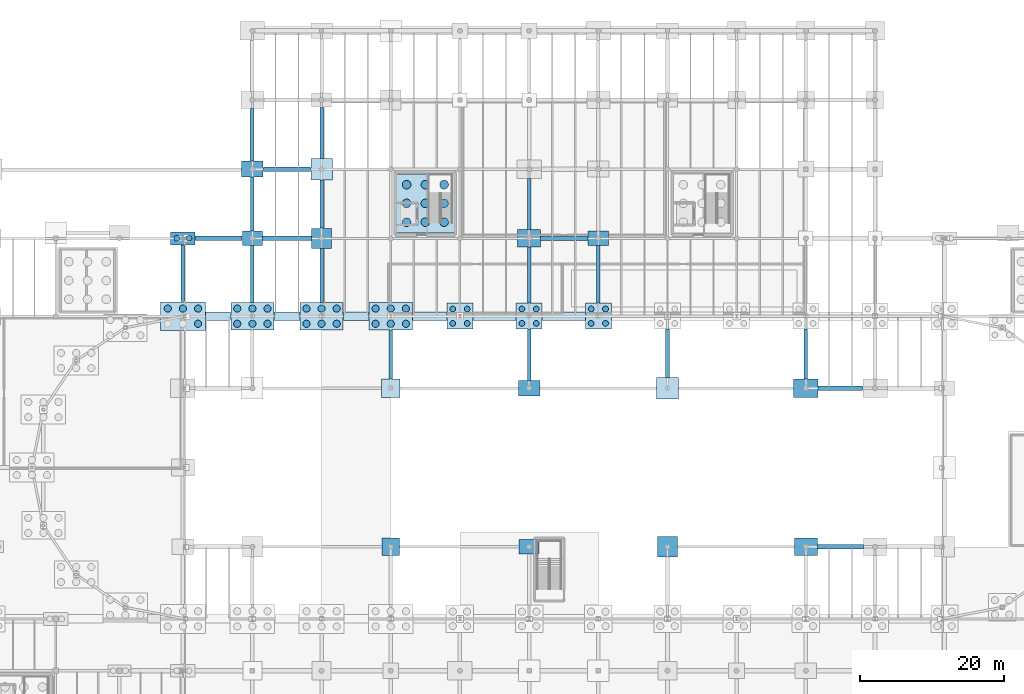
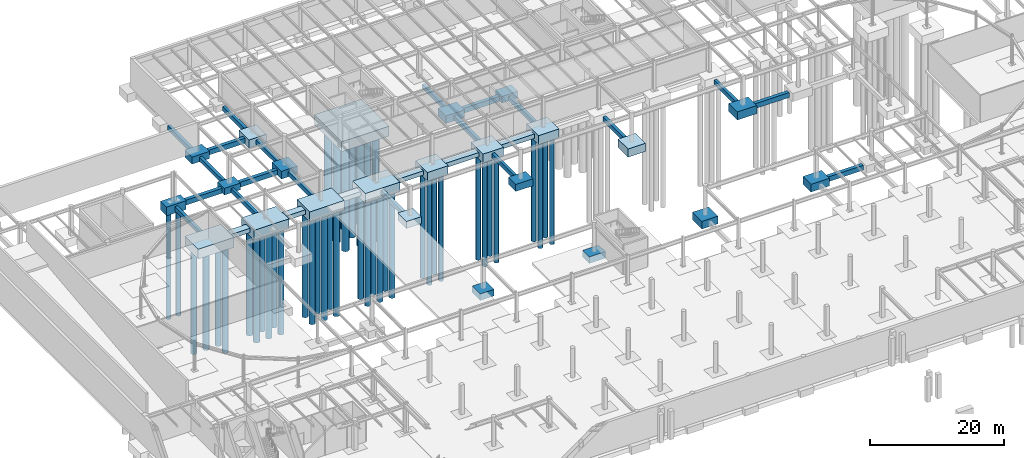
# One storey, part 6 of 50: 49 footings, 45 piles.
"""IFC4 building model written with IfcOpenShell, lengths in metres."""

import ifcopenshell
import ifcopenshell.guid

model = None  # the IFC model being written
_history = None  # IfcOwnerHistory: only IFC2X3 demands one
_inside = {}  # id of a spatial element -> (the spatial element, [elements in it])
_under = {}  # id of a project, library or spatial element -> (it, [spatial elements below it])
_declared = {}  # id of a project -> (the project, [libraries it declares])
_typed = {}  # id of a type object -> (the type object, [elements of that type])
_made_of = {}  # id of a material, layer set ... -> (it, [elements and type objects made of it])


def new_model(schema):
    """Start an empty IFC model of exactly this schema.

    Asked for "IFC4X3", IfcOpenShell would pick the latest addendum, in which some entities
    have other attributes; the version numbers below select the first issue.
    IFC2X3 requires an IfcOwnerHistory on every rooted entity: one is made here for all.
    """
    global model, _history
    if schema == "IFC4X3":
        model = ifcopenshell.file(schema_version=(4, 3, 0, 0))
    else:
        model = ifcopenshell.file(schema=schema)
    _inside.clear()
    _under.clear()
    _declared.clear()
    _typed.clear()
    _made_of.clear()
    _history = None
    if model.schema == "IFC2X3":
        org = make("IfcOrganization", Name="unknown")
        user = make(
            "IfcPersonAndOrganization",
            ThePerson=make("IfcPerson", FamilyName="unknown"),
            TheOrganization=org,
        )
        app = make(
            "IfcApplication",
            ApplicationDeveloper=org,
            Version="unknown",
            ApplicationFullName="unknown",
            ApplicationIdentifier="unknown",
        )
        _history = make(
            "IfcOwnerHistory",
            OwningUser=user,
            OwningApplication=app,
            ChangeAction="ADDED",
            CreationDate=0,
        )
    return model


def make(cls, **values):
    """One entity of the class cls with the attributes given. An attribute that is None is left unset."""
    return model.create_entity(
        cls, **{name: value for name, value in values.items() if value is not None}
    )


def rooted(cls, **values):
    """An entity with a GlobalId (a new one), such as an element, a storey or a relation."""
    return make(cls, GlobalId=ifcopenshell.guid.new(), OwnerHistory=_history, **values)


def si_unit(unit_type, name, prefix=None):
    """IfcSIUnit, for example si_unit("LENGTHUNIT", "METRE", prefix="MILLI")."""
    return make("IfcSIUnit", UnitType=unit_type, Prefix=prefix, Name=name)


def assignment(units):
    """IfcUnitAssignment: the units of a project."""
    return None if units is None else make("IfcUnitAssignment", Units=units)


def point(xyz):
    """IfcCartesianPoint."""
    return None if xyz is None else make("IfcCartesianPoint", Coordinates=xyz)


def direction(xyz):
    """IfcDirection."""
    return None if xyz is None else make("IfcDirection", DirectionRatios=xyz)


def frame(location, z_axis=None, x_axis=None):
    """IfcAxis2Placement3D, a coordinate frame: its origin and axes. An axis left out is left unset."""
    return make(
        "IfcAxis2Placement3D",
        Location=point(location),
        Axis=direction(z_axis),
        RefDirection=direction(x_axis),
    )


def frame_2d(location, x_axis=None):
    """IfcAxis2Placement2D, a coordinate frame in the plane: its origin and x axis."""
    return make(
        "IfcAxis2Placement2D", Location=point(location), RefDirection=direction(x_axis)
    )


def origin():
    """The frame at (0, 0, 0) with its axes left unset."""
    return frame((0.0, 0.0, 0.0))


def origin_2d():
    """The frame at (0, 0) in the plane with its x axis left unset."""
    return frame_2d((0.0, 0.0))


def place(relative_to, where):
    """IfcLocalPlacement: puts the frame where relative to a parent placement (None: the world)."""
    return make(
        "IfcLocalPlacement", PlacementRelTo=relative_to, RelativePlacement=where
    )


def context(
    kind, dimensions, precision=None, world=None, true_north=None, identifier=None
):
    """IfcGeometricRepresentationContext, for example the 3D "Model" context."""
    return make(
        "IfcGeometricRepresentationContext",
        ContextIdentifier=identifier,
        ContextType=kind,
        CoordinateSpaceDimension=dimensions,
        Precision=precision,
        WorldCoordinateSystem=world,
        TrueNorth=true_north,
    )


def subcontext(parent, identifier, kind, view, scale=None):
    """IfcGeometricRepresentationSubContext, for example "Body" below "Model"."""
    return make(
        "IfcGeometricRepresentationSubContext",
        ContextIdentifier=identifier,
        ContextType=kind,
        ParentContext=parent,
        TargetScale=scale,
        TargetView=view,
    )


def project(units=None, contexts=None):
    """IfcProject with its units and contexts."""
    return rooted(
        "IfcProject",
        Name="project",
        RepresentationContexts=contexts,
        UnitsInContext=assignment(units),
    )


def spatial(cls, under=None, at=None, **own):
    """A site, building, storey or space (cls), placed at a placement, below another one or the project."""
    s = rooted(cls, ObjectPlacement=at, **own)
    if under is not None:
        _under.setdefault(under.id(), (under, []))[1].append(s)
    return s


def polyline(points):
    """IfcPolyline through the points."""
    return make("IfcPolyline", Points=[point(p) for p in points])


def profile(cls, at=None, kind="AREA", **sizes):
    """A parametric profile (cls). Its sizes go by their IFC names, for example OverallWidth=200.0."""
    return make(cls, ProfileType=kind, Position=at, **sizes)


def rectangle(**sizes):
    """IfcRectangleProfileDef."""
    return profile("IfcRectangleProfileDef", **sizes)


def circle(**sizes):
    """IfcCircleProfileDef."""
    return profile("IfcCircleProfileDef", **sizes)


def outline(outer, holes=None, kind="AREA"):
    """IfcArbitraryClosedProfileDef: a profile drawn as a closed curve; with holes, ...WithVoids."""
    if holes is None:
        return make("IfcArbitraryClosedProfileDef", ProfileType=kind, OuterCurve=outer)
    return make(
        "IfcArbitraryProfileDefWithVoids",
        ProfileType=kind,
        OuterCurve=outer,
        InnerCurves=holes,
    )


def extrude(swept, where, along, depth):
    """IfcExtrudedAreaSolid: the profile swept, set in the frame where, extruded along a direction by depth."""
    return make(
        "IfcExtrudedAreaSolid",
        SweptArea=swept,
        Position=where,
        ExtrudedDirection=direction(along),
        Depth=depth,
    )


def shape(context_of_items, identifier, shape_type, items):
    """IfcShapeRepresentation: the items that make up one representation, for example the "Body"."""
    return make(
        "IfcShapeRepresentation",
        ContextOfItems=context_of_items,
        RepresentationIdentifier=identifier,
        RepresentationType=shape_type,
        Items=items,
    )


def material(Name=None, Category=None):
    """IfcMaterial."""
    return make("IfcMaterial", Name=Name, Category=Category)


def material_profile(
    of_material, cross_section, Name=None, Category=None, Priority=None
):
    """IfcMaterialProfile: a cross section and its material."""
    return make(
        "IfcMaterialProfile",
        Name=Name,
        Material=of_material,
        Profile=cross_section,
        Priority=Priority,
        Category=Category,
    )


def profile_set(profiles, Name=None, composite=None):
    """IfcMaterialProfileSet."""
    return make(
        "IfcMaterialProfileSet",
        Name=Name,
        MaterialProfiles=profiles,
        CompositeProfile=composite,
    )


def made_of(thing, what):
    """Note that an element or type object is made of a material, layer set ...; save() writes the relation."""
    if what is not None:
        _made_of.setdefault(what.id(), (what, []))[1].append(thing)
    return thing


def type_object(cls, material=None, **own):
    """A type object (cls), such as IfcWallType, which elements share."""
    return made_of(rooted(cls, **own), material)


def element(
    cls,
    number,
    at=None,
    inside=None,
    cuts=None,
    type_object=None,
    material=None,
    context=None,
    identifier="Body",
    shape_type=None,
    held_by="IfcProductDefinitionShape",
    body=None,
    shapes=None,
    **own,
):
    """One element of the class cls, such as IfcWall. Its Tag is "e" and its number.

    at: its placement. inside: the storey or other place that contains it. cuts: it is an
    opening in that element (IfcRelVoidsElement). A single representation is given by context,
    identifier, shape_type and body (its items); several are given by shapes. held_by: the class
    of the entity that holds the representations. save() writes the other relations.
    """
    e = rooted(cls, Tag="e%d" % number, ObjectPlacement=at, **own)
    if body is not None:
        shapes = [shape(context, identifier, shape_type, body)]
    if shapes is not None:
        e.Representation = make(held_by, Representations=shapes)
    if inside is not None:
        _inside.setdefault(inside.id(), (inside, []))[1].append(e)
    if cuts is not None:
        rooted(
            "IfcRelVoidsElement", RelatingBuildingElement=cuts, RelatedOpeningElement=e
        )
    if type_object is not None:
        _typed.setdefault(type_object.id(), (type_object, []))[1].append(e)
    return made_of(e, material)


def aggregate(whole, parts):
    """IfcRelAggregates: a whole, such as a stair, and the parts it consists of."""
    return rooted("IfcRelAggregates", RelatingObject=whole, RelatedObjects=parts)


def save(model, path):
    """Write the relations noted so far, then the file.

    IfcRelAggregates (storeys below a building ...), IfcRelContainedInSpatialStructure (elements
    in a storey), IfcRelDefinesByType, IfcRelAssociatesMaterial and IfcRelDeclares: one each for
    every whole, place, type object, material and project.
    """
    for whole, parts in _under.values():
        aggregate(whole, parts)
    for where, things in _inside.values():
        rooted(
            "IfcRelContainedInSpatialStructure",
            RelatedElements=things,
            RelatingStructure=where,
        )
    for kind, things in _typed.values():
        rooted("IfcRelDefinesByType", RelatedObjects=things, RelatingType=kind)
    for what, things in _made_of.values():
        rooted("IfcRelAssociatesMaterial", RelatedObjects=things, RelatingMaterial=what)
    for by, libraries in _declared.values():
        rooted("IfcRelDeclares", RelatingContext=by, RelatedDefinitions=libraries)
    model.write(path)


model = new_model("IFC4")

# Units and contexts
model_context = context("Model", 3, precision=1e-05, world=origin(), true_north=direction((0.0, 1.0)))
body_context = subcontext(model_context, "Body", "Model", "MODEL_VIEW")
ifc_project = project(units=[si_unit("LENGTHUNIT", "METRE"), si_unit("AREAUNIT", "SQUARE_METRE"), si_unit("VOLUMEUNIT", "CUBIC_METRE"), si_unit("PLANEANGLEUNIT", "RADIAN"), si_unit("MASSUNIT", "GRAM", prefix="KILO")], contexts=[model_context])

# Site, building, storey
site_placement = place(None, origin())
site = spatial("IfcSite", under=ifc_project, at=site_placement, CompositionType="ELEMENT")
building_placement = place(site_placement, origin())
building = spatial("IfcBuilding", under=site, at=building_placement, Name="Yeouljin Market Hall", CompositionType="ELEMENT")
storey_placement = place(building_placement, frame((0.0, 0.0, -5.39990234375)))
storey = spatial("IfcBuildingStorey", under=building, at=storey_placement, Name="B1", CompositionType="ELEMENT", Elevation=-5.39990234375)

# Footings
ifc_material_1 = material(Name="Concrete C35/45", Category="concrete")
ifc_material_profile_1 = material_profile(ifc_material_1, rectangle(XDim=0.5, YDim=0.800048828125, at=origin_2d()), Name="RC-500x800")
ifc_profile_set_1 = profile_set([ifc_material_profile_1], Name="Concrete C35/45")
footing_type_1 = type_object("IfcFootingType", Name="FootingBeam_500x800", PredefinedType="FOOTING_BEAM", material=ifc_profile_set_1)
footing_1_placement = place(storey_placement, frame((35.360107421875, 80.010009765625, -0.800048828125), z_axis=(0.0, 1.0, 0.0), x_axis=(-1.0, 0.0, 0.0)))
element("IfcFooting", 1, at=footing_1_placement, inside=storey, type_object=footing_type_1, Name="Foundation tie beam Y-162", PredefinedType="FOOTING_BEAM", context=body_context, shape_type="SweptSolid", body=[
    extrude(rectangle(XDim=0.5, YDim=0.800048828125, at=origin_2d()), origin(), (0.0, 0.0, 1.0), 7.8798828125),
])
footing_2_placement = place(storey_placement, frame((45.0, 79.909912109375, -0.800048828125), z_axis=(0.0, 1.0, 0.0), x_axis=(-1.0, 0.0, 0.0)))
element("IfcFooting", 2, at=footing_2_placement, inside=storey, type_object=footing_type_1, Name="Foundation tie beam Y-169", PredefinedType="FOOTING_BEAM", context=body_context, shape_type="SweptSolid", body=[
    extrude(rectangle(XDim=0.5, YDim=0.800048828125, at=origin_2d()), origin(), (0.0, 0.0, 1.0), 7.880126953125),
])
footing_3_placement = place(storey_placement, frame((45.0, 89.81005859375, -0.800048828125), z_axis=(0.0, 1.0, 0.0), x_axis=(-1.0, 0.0, 0.0)))
element("IfcFooting", 3, at=footing_3_placement, inside=storey, type_object=footing_type_1, Name="Foundation tie beam Y-170", PredefinedType="FOOTING_BEAM", context=body_context, shape_type="SweptSolid", body=[
    extrude(rectangle(XDim=0.5, YDim=0.800048828125, at=origin_2d()), origin(), (0.0, 0.0, 1.0), 7.47998046875),
])
footing_4_placement = place(storey_placement, frame((45.0, 99.510009765625, -0.800048828125), z_axis=(0.0, 1.0, 0.0), x_axis=(-1.0, 0.0, 0.0)))
element("IfcFooting", 4, at=footing_4_placement, inside=storey, type_object=footing_type_1, Name="Foundation tie beam Y-171", PredefinedType="FOOTING_BEAM", context=body_context, shape_type="SweptSolid", body=[
    extrude(rectangle(XDim=0.5, YDim=0.800048828125, at=origin_2d()), origin(), (0.0, 0.0, 1.0), 7.280029296875),
])
footing_5_placement = place(storey_placement, frame((54.60009765625, 79.909912109375, -0.800048828125), z_axis=(0.0, 1.0, 0.0), x_axis=(-1.0, 0.0, 0.0)))
element("IfcFooting", 5, at=footing_5_placement, inside=storey, type_object=footing_type_1, Name="Foundation tie beam Y-177", PredefinedType="FOOTING_BEAM", context=body_context, shape_type="SweptSolid", body=[
    extrude(rectangle(XDim=0.5, YDim=0.800048828125, at=origin_2d()), origin(), (0.0, 0.0, 1.0), 7.47998046875),
])
footing_6_placement = place(storey_placement, frame((54.60009765625, 90.2099609375, -0.800048828125), z_axis=(0.0, 1.0, 0.0), x_axis=(-1.0, 0.0, 0.0)))
element("IfcFooting", 6, at=footing_6_placement, inside=storey, type_object=footing_type_1, Name="Foundation tie beam Y-178", PredefinedType="FOOTING_BEAM", context=body_context, shape_type="SweptSolid", body=[
    extrude(rectangle(XDim=0.5, YDim=0.800048828125, at=origin_2d()), origin(), (0.0, 0.0, 1.0), 6.679931640625),
])
footing_7_placement = place(storey_placement, frame((54.60009765625, 99.909912109375, -0.800048828125), z_axis=(0.0, 1.0, 0.0), x_axis=(-1.0, 0.0, 0.0)))
element("IfcFooting", 7, at=footing_7_placement, inside=storey, type_object=footing_type_1, Name="Foundation tie beam Y-179", PredefinedType="FOOTING_BEAM", context=body_context, shape_type="SweptSolid", body=[
    extrude(rectangle(XDim=0.5, YDim=0.800048828125, at=origin_2d()), origin(), (0.0, 0.0, 1.0), 7.080078125),
])
footing_8_placement = place(storey_placement, frame((64.199951171875, 69.31005859375, -0.800048828125), z_axis=(0.0, 1.0, 0.0), x_axis=(-1.0, 0.0, 0.0)))
element("IfcFooting", 8, at=footing_8_placement, inside=storey, type_object=footing_type_1, Name="Foundation tie beam Y-186", PredefinedType="FOOTING_BEAM", context=body_context, shape_type="SweptSolid", body=[
    extrude(rectangle(XDim=0.5, YDim=0.800048828125, at=origin_2d()), origin(), (0.0, 0.0, 1.0), 6.780029296875),
])
footing_9_placement = place(storey_placement, frame((83.39990234375, 69.110107421875, -0.800048828125), z_axis=(0.0, 1.0, 0.0), x_axis=(-1.0, 0.0, 0.0)))
element("IfcFooting", 9, at=footing_9_placement, inside=storey, type_object=footing_type_1, Name="Foundation tie beam Y-198", PredefinedType="FOOTING_BEAM", context=body_context, shape_type="SweptSolid", body=[
    extrude(rectangle(XDim=0.5, YDim=0.800048828125, at=origin_2d()), origin(), (0.0, 0.0, 1.0), 7.079833984375),
])
footing_10_placement = place(storey_placement, frame((83.39990234375, 79.81005859375, -0.800048828125), z_axis=(0.0, 1.0, 0.0), x_axis=(-1.0, 0.0, 0.0)))
element("IfcFooting", 10, at=footing_10_placement, inside=storey, type_object=footing_type_1, Name="Foundation tie beam Y-199", PredefinedType="FOOTING_BEAM", context=body_context, shape_type="SweptSolid", body=[
    extrude(rectangle(XDim=0.5, YDim=0.800048828125, at=origin_2d()), origin(), (0.0, 0.0, 1.0), 7.780029296875),
])
footing_11_placement = place(storey_placement, frame((83.39990234375, 90.010009765625, -0.800048828125), z_axis=(0.0, 1.0, 0.0), x_axis=(-1.0, 0.0, 0.0)))
element("IfcFooting", 11, at=footing_11_placement, inside=storey, type_object=footing_type_1, Name="Foundation tie beam Y-200", PredefinedType="FOOTING_BEAM", context=body_context, shape_type="SweptSolid", body=[
    extrude(rectangle(XDim=0.5, YDim=0.800048828125, at=origin_2d()), origin(), (0.0, 0.0, 1.0), 7.080078125),
])
footing_12_placement = place(storey_placement, frame((93.0, 79.81005859375, -0.800048828125), z_axis=(0.0, 1.0, 0.0), x_axis=(-1.0, 0.0, 0.0)))
element("IfcFooting", 12, at=footing_12_placement, inside=storey, type_object=footing_type_1, Name="Foundation tie beam Y-207", PredefinedType="FOOTING_BEAM", context=body_context, shape_type="SweptSolid", body=[
    extrude(rectangle(XDim=0.5, YDim=0.800048828125, at=origin_2d()), origin(), (0.0, 0.0, 1.0), 7.97998046875),
])
footing_13_placement = place(storey_placement, frame((102.60009765625, 69.510009765625, -0.800048828125), z_axis=(0.0, 1.0, 0.0), x_axis=(-1.0, 0.0, 0.0)))
element("IfcFooting", 13, at=footing_13_placement, inside=storey, type_object=footing_type_1, Name="Foundation tie beam Y-216", PredefinedType="FOOTING_BEAM", context=body_context, shape_type="SweptSolid", body=[
    extrude(rectangle(XDim=0.5, YDim=0.800048828125, at=origin_2d()), origin(), (0.0, 0.0, 1.0), 6.679931640625),
])
footing_14_placement = place(storey_placement, frame((121.800048828125, 69.31005859375, -0.800048828125), z_axis=(0.0, 1.0, 0.0), x_axis=(-1.0, 0.0, 0.0)))
element("IfcFooting", 14, at=footing_14_placement, inside=storey, type_object=footing_type_1, Name="Foundation tie beam Y-228", PredefinedType="FOOTING_BEAM", context=body_context, shape_type="SweptSolid", body=[
    extrude(rectangle(XDim=0.5, YDim=0.800048828125, at=origin_2d()), origin(), (0.0, 0.0, 1.0), 6.8798828125),
])
ifc_material_2 = material(Name="Concrete C35/45", Category="concrete")
ifc_material_profile_2 = material_profile(ifc_material_2, rectangle(XDim=0.60009765625, YDim=0.89990234375, at=origin_2d()), Name="RC-600x900")
ifc_profile_set_2 = profile_set([ifc_material_profile_2], Name="Concrete C35/45")
footing_type_2 = type_object("IfcFootingType", Name="FootingBeam_600x900", PredefinedType="FOOTING_BEAM", material=ifc_profile_set_2)
footing_15_placement = place(storey_placement, frame((123.409912109375, 46.0, -0.85009765625), z_axis=(1.0, 0.0, 0.0), x_axis=(0.0, 1.0, 0.0)))
element("IfcFooting", 15, at=footing_15_placement, inside=storey, type_object=footing_type_2, Name="Foundation tie beam X-083", PredefinedType="FOOTING_BEAM", context=body_context, shape_type="SweptSolid", body=[
    extrude(rectangle(XDim=0.60009765625, YDim=0.89990234375, at=origin_2d()), origin(), (0.0, 0.0, 1.0), 6.380126953125),
])
footing_16_placement = place(storey_placement, frame((123.510009765625, 68.0, -0.85009765625), z_axis=(1.0, 0.0, 0.0), x_axis=(0.0, 1.0, 0.0)))
element("IfcFooting", 16, at=footing_16_placement, inside=storey, type_object=footing_type_2, Name="Foundation tie beam X-090", PredefinedType="FOOTING_BEAM", context=body_context, shape_type="SweptSolid", body=[
    extrude(rectangle(XDim=0.60009765625, YDim=0.89990234375, at=origin_2d()), origin(), (0.0, 0.0, 1.0), 6.179931640625),
])
footing_17_placement = place(storey_placement, frame((37.070068359375, 88.800048828125, -0.85009765625), z_axis=(1.0, 0.0, 0.0), x_axis=(0.0, 1.0, 0.0)))
element("IfcFooting", 17, at=footing_17_placement, inside=storey, type_object=footing_type_2, Name="Foundation tie beam X-106", PredefinedType="FOOTING_BEAM", context=body_context, shape_type="SweptSolid", body=[
    extrude(rectangle(XDim=0.60009765625, YDim=0.89990234375, at=origin_2d()), origin(), (0.0, 0.0, 1.0), 6.52001953125),
])
footing_18_placement = place(storey_placement, frame((46.409912109375, 88.800048828125, -0.85009765625), z_axis=(1.0, 0.0, 0.0), x_axis=(0.0, 1.0, 0.0)))
element("IfcFooting", 18, at=footing_18_placement, inside=storey, type_object=footing_type_2, Name="Foundation tie beam X-107", PredefinedType="FOOTING_BEAM", context=body_context, shape_type="SweptSolid", body=[
    extrude(rectangle(XDim=0.60009765625, YDim=0.89990234375, at=origin_2d()), origin(), (0.0, 0.0, 1.0), 6.780029296875),
])
for number, where, z_axis, x_axis, name in (
    (19, (85.010009765625, 88.800048828125, -0.85009765625), (1.0, 0.0, 0.0), (0.0, 1.0, 0.0), "Foundation tie beam X-108"),
    (20, (46.510009765625, 98.39990234375, -0.85009765625), (1.0, 0.0, 0.0), (0.0, 1.0, 0.0), "Foundation tie beam X-115"),
):
    element("IfcFooting", number, at=place(storey_placement, frame(where, z_axis=z_axis, x_axis=x_axis)), inside=storey, type_object=footing_type_2, Name=name, PredefinedType="FOOTING_BEAM", context=body_context, shape_type="SweptSolid", body=[
        extrude(rectangle(XDim=0.60009765625, YDim=0.89990234375, at=origin_2d()), origin(), (0.0, 0.0, 1.0), 6.580078125),
    ])
ifc_material_3 = material(Name="Concrete C35/45", Category="concrete")
footing_type_3 = type_object("IfcFootingType", Name="PadFooting_2400x2400x1200", PredefinedType="PAD_FOOTING", material=ifc_material_3)
footing_19_placement = place(storey_placement, frame((0.0, 0.0, -1.2001953125)))
element("IfcFooting", 21, at=footing_19_placement, inside=storey, type_object=footing_type_3, Name="Pile cap FPAD-033", PredefinedType="PAD_FOOTING", context=body_context, shape_type="SweptSolid", body=[
    extrude(outline(polyline([(63.0, 44.800048828125), (65.39990234375, 44.800048828125), (65.39990234375, 47.199951171875), (63.0, 47.199951171875), (63.0, 44.800048828125)])), origin(), (0.0, 0.0, 1.0), 1.2001953125),
])
ifc_material_4 = material(Name="Concrete C35/45", Category="concrete")
footing_type_4 = type_object("IfcFootingType", Name="PadFooting_2600x2600x1300", PredefinedType="PAD_FOOTING", material=ifc_material_4)
footing_20_placement = place(storey_placement, frame((0.0, 0.0, -1.300048828125)))
element("IfcFooting", 22, at=footing_20_placement, inside=storey, type_object=footing_type_4, Name="Pile cap FPAD-034", PredefinedType="PAD_FOOTING", context=body_context, shape_type="SweptSolid", body=[
    extrude(outline(polyline([(62.89990234375, 66.699951171875), (65.5, 66.699951171875), (65.5, 69.300048828125), (62.89990234375, 69.300048828125), (62.89990234375, 66.699951171875)])), origin(), (0.0, 0.0, 1.0), 1.300048828125),
])
ifc_material_5 = material(Name="Concrete C35/45", Category="concrete")
footing_type_5 = type_object("IfcFootingType", Name="PadFooting_2800x2000x1200", PredefinedType="PAD_FOOTING", material=ifc_material_5)
footing_21_placement = place(storey_placement, frame((0.0, 0.0, -1.2001953125)))
element("IfcFooting", 23, at=footing_21_placement, inside=storey, type_object=footing_type_5, Name="Pile cap FPAD-017", PredefinedType="PAD_FOOTING", context=body_context, shape_type="SweptSolid", body=[
    extrude(outline(polyline([(43.60009765625, 87.800048828125), (46.39990234375, 87.800048828125), (46.39990234375, 89.800048828125), (43.60009765625, 89.800048828125), (43.60009765625, 87.800048828125)])), origin(), (0.0, 0.0, 1.0), 1.2001953125),
])
footing_22_placement = place(storey_placement, frame((0.0, 0.0, -1.2001953125)))
element("IfcFooting", 24, at=footing_22_placement, inside=storey, type_object=footing_type_5, Name="Pile cap FPAD-047", PredefinedType="PAD_FOOTING", context=body_context, shape_type="SweptSolid", body=[
    extrude(outline(polyline([(82.0, 45.0), (84.800048828125, 45.0), (84.800048828125, 47.0), (82.0, 47.0), (82.0, 45.0)])), origin(), (0.0, 0.0, 1.0), 1.2001953125),
])
footing_23_placement = place(storey_placement, frame((0.0, 0.0, -1.2001953125)))
element("IfcFooting", 25, at=footing_23_placement, inside=storey, type_object=footing_type_5, Name="Pile cap FPAD-057", PredefinedType="PAD_FOOTING", context=body_context, shape_type="SweptSolid", body=[
    extrude(outline(polyline([(91.60009765625, 87.800048828125), (94.39990234375, 87.800048828125), (94.39990234375, 89.800048828125), (91.60009765625, 89.800048828125), (91.60009765625, 87.800048828125)])), origin(), (0.0, 0.0, 1.0), 1.2001953125),
])
ifc_material_6 = material(Name="Concrete C35/45", Category="concrete")
footing_type_6 = type_object("IfcFootingType", Name="PadFooting_2800x2800x1400", PredefinedType="PAD_FOOTING", material=ifc_material_6)
footing_24_placement = place(storey_placement, frame((0.0, 0.0, -1.400146484375)))
element("IfcFooting", 26, at=footing_24_placement, inside=storey, type_object=footing_type_6, Name="Pile cap FPAD-025", PredefinedType="PAD_FOOTING", context=body_context, shape_type="SweptSolid", body=[
    extrude(outline(polyline([(53.199951171875, 87.39990234375), (56.0, 87.39990234375), (56.0, 90.199951171875), (53.199951171875, 90.199951171875), (53.199951171875, 87.39990234375)])), origin(), (0.0, 0.0, 1.0), 1.400146484375),
])
footing_25_placement = place(storey_placement, frame((0.0, 0.0, -1.400146484375)))
element("IfcFooting", 27, at=footing_25_placement, inside=storey, type_object=footing_type_6, Name="Pile cap FPAD-065", PredefinedType="PAD_FOOTING", context=body_context, shape_type="SweptSolid", body=[
    extrude(outline(polyline([(101.199951171875, 44.60009765625), (104.0, 44.60009765625), (104.0, 47.39990234375), (101.199951171875, 47.39990234375), (101.199951171875, 44.60009765625)])), origin(), (0.0, 0.0, 1.0), 1.400146484375),
])
ifc_material_7 = material(Name="Concrete C35/45", Category="concrete")
footing_type_7 = type_object("IfcFootingType", Name="PadFooting_3000x2200x1300", PredefinedType="PAD_FOOTING", material=ifc_material_7)
footing_26_placement = place(storey_placement, frame((0.0, 0.0, -1.300048828125)))
element("IfcFooting", 28, at=footing_26_placement, inside=storey, type_object=footing_type_7, Name="Pile cap FPAD-018", PredefinedType="PAD_FOOTING", context=body_context, shape_type="SweptSolid", body=[
    extrude(outline(polyline([(43.5, 97.300048828125), (46.5, 97.300048828125), (46.5, 99.5), (43.5, 99.5), (43.5, 97.300048828125)])), origin(), (0.0, 0.0, 1.0), 1.300048828125),
])
footing_27_placement = place(storey_placement, frame((0.0, 0.0, -1.300048828125)))
element("IfcFooting", 29, at=footing_27_placement, inside=storey, type_object=footing_type_7, Name="Pile cap FPAD-048", PredefinedType="PAD_FOOTING", context=body_context, shape_type="SweptSolid", body=[
    extrude(outline(polyline([(81.89990234375, 66.89990234375), (84.89990234375, 66.89990234375), (84.89990234375, 69.10009765625), (81.89990234375, 69.10009765625), (81.89990234375, 66.89990234375)])), origin(), (0.0, 0.0, 1.0), 1.300048828125),
])
ifc_material_8 = material(Name="Concrete C35/45", Category="concrete")
footing_type_8 = type_object("IfcFootingType", Name="PadFooting_3000x3000x1500", PredefinedType="PAD_FOOTING", material=ifc_material_8)
footing_28_placement = place(storey_placement, frame((0.0, 0.0, -1.5)))
element("IfcFooting", 30, at=footing_28_placement, inside=storey, type_object=footing_type_8, Name="Pile cap FPAD-026", PredefinedType="PAD_FOOTING", context=body_context, shape_type="SweptSolid", body=[
    extrude(outline(polyline([(53.10009765625, 96.89990234375), (56.10009765625, 96.89990234375), (56.10009765625, 99.89990234375), (53.10009765625, 99.89990234375), (53.10009765625, 96.89990234375)])), origin(), (0.0, 0.0, 1.0), 1.5),
])
footing_29_placement = place(storey_placement, frame((0.0, 0.0, -1.5)))
element("IfcFooting", 31, at=footing_29_placement, inside=storey, type_object=footing_type_8, Name="Pile cap FPAD-066", PredefinedType="PAD_FOOTING", context=body_context, shape_type="SweptSolid", body=[
    extrude(outline(polyline([(101.10009765625, 66.5), (104.10009765625, 66.5), (104.10009765625, 69.5), (101.10009765625, 69.5), (101.10009765625, 66.5)])), origin(), (0.0, 0.0, 1.0), 1.5),
])
ifc_material_9 = material(Name="Concrete C35/45", Category="concrete")
footing_type_9 = type_object("IfcFootingType", Name="PadFooting_3200x2400x1400", PredefinedType="PAD_FOOTING", material=ifc_material_9)
footing_30_placement = place(storey_placement, frame((0.0, 0.0, -1.400146484375)))
element("IfcFooting", 32, at=footing_30_placement, inside=storey, type_object=footing_type_9, Name="Pile cap FPAD-049", PredefinedType="PAD_FOOTING", context=body_context, shape_type="SweptSolid", body=[
    extrude(outline(polyline([(81.800048828125, 87.60009765625), (85.0, 87.60009765625), (85.0, 90.0), (81.800048828125, 90.0), (81.800048828125, 87.60009765625)])), origin(), (0.0, 0.0, 1.0), 1.400146484375),
])
footing_31_placement = place(storey_placement, frame((0.0, 0.0, -1.400146484375)))
element("IfcFooting", 33, at=footing_31_placement, inside=storey, type_object=footing_type_9, Name="Pile cap FPAD-079", PredefinedType="PAD_FOOTING", context=body_context, shape_type="SweptSolid", body=[
    extrude(outline(polyline([(120.199951171875, 44.800048828125), (123.39990234375, 44.800048828125), (123.39990234375, 47.199951171875), (120.199951171875, 47.199951171875), (120.199951171875, 44.800048828125)])), origin(), (0.0, 0.0, 1.0), 1.400146484375),
])
ifc_material_10 = material(Name="Concrete C35/45", Category="concrete")
footing_type_10 = type_object("IfcFootingType", Name="PadFooting_3400x2600x1500", PredefinedType="PAD_FOOTING", material=ifc_material_10)
footing_32_placement = place(storey_placement, frame((0.0, 0.0, -1.5)))
element("IfcFooting", 34, at=footing_32_placement, inside=storey, type_object=footing_type_10, Name="Pile cap FPAD-080", PredefinedType="PAD_FOOTING", context=body_context, shape_type="SweptSolid", body=[
    extrude(outline(polyline([(120.10009765625, 66.699951171875), (123.5, 66.699951171875), (123.5, 69.300048828125), (120.10009765625, 69.300048828125), (120.10009765625, 66.699951171875)])), origin(), (0.0, 0.0, 1.0), 1.5),
])
ifc_material_11 = material(Name="Concrete C35/45", Category="concrete")
footing_type_11 = type_object("IfcFootingType", Name="PileCap_2P_3400x1800x1600", PredefinedType="PILE_CAP", material=ifc_material_11)
footing_33_placement = place(storey_placement, frame((0.0, 0.0, -1.60009765625)))
element("IfcFooting", 35, at=footing_33_placement, inside=storey, type_object=footing_type_11, Name="Pile cap FCAP-C046", PredefinedType="PILE_CAP", context=body_context, shape_type="SweptSolid", body=[
    extrude(outline(polyline([(33.659912109375, 87.89990234375), (37.06005859375, 87.89990234375), (37.06005859375, 89.699951171875), (33.659912109375, 89.699951171875), (33.659912109375, 87.89990234375)])), origin(), (0.0, 0.0, 1.0), 1.60009765625),
])
ifc_material_12 = material(Name="Concrete C35/45", Category="concrete")
footing_type_12 = type_object("IfcFootingType", Name="PileCap_4P_3600x3600x1600", PredefinedType="PILE_CAP", material=ifc_material_12)
footing_34_placement = place(storey_placement, frame((0.0, 0.0, -1.60009765625)))
element("IfcFooting", 36, at=footing_34_placement, inside=storey, type_object=footing_type_12, Name="Pile cap FCAP-C086", PredefinedType="PILE_CAP", context=body_context, shape_type="SweptSolid", body=[
    extrude(outline(polyline([(72.0, 76.199951171875), (75.60009765625, 76.199951171875), (75.60009765625, 79.800048828125), (72.0, 79.800048828125), (72.0, 76.199951171875)])), origin(), (0.0, 0.0, 1.0), 1.60009765625),
])
footing_35_placement = place(storey_placement, frame((0.0, 0.0, -1.60009765625)))
element("IfcFooting", 37, at=footing_35_placement, inside=storey, type_object=footing_type_12, Name="Pile cap FCAP-C098", PredefinedType="PILE_CAP", context=body_context, shape_type="SweptSolid", body=[
    extrude(outline(polyline([(81.60009765625, 76.199951171875), (85.199951171875, 76.199951171875), (85.199951171875, 79.800048828125), (81.60009765625, 79.800048828125), (81.60009765625, 76.199951171875)])), origin(), (0.0, 0.0, 1.0), 1.60009765625),
])
footing_36_placement = place(storey_placement, frame((0.0, 0.0, -1.60009765625)))
element("IfcFooting", 38, at=footing_36_placement, inside=storey, type_object=footing_type_12, Name="Pile cap FCAP-C108", PredefinedType="PILE_CAP", context=body_context, shape_type="SweptSolid", body=[
    extrude(outline(polyline([(91.199951171875, 76.199951171875), (94.800048828125, 76.199951171875), (94.800048828125, 79.800048828125), (91.199951171875, 79.800048828125), (91.199951171875, 76.199951171875)])), origin(), (0.0, 0.0, 1.0), 1.60009765625),
])
ifc_material_13 = material(Name="Concrete C35/45", Category="concrete")
footing_type_13 = type_object("IfcFootingType", Name="PileCap_6P_6000x3800x1800", PredefinedType="PILE_CAP", material=ifc_material_13)
footing_37_placement = place(storey_placement, frame((0.0, 0.0, -1.800048828125)))
element("IfcFooting", 39, at=footing_37_placement, inside=storey, type_object=footing_type_13, Name="Pile cap FCAP-C054", PredefinedType="PILE_CAP", context=body_context, shape_type="SweptSolid", body=[
    extrude(outline(polyline([(42.0, 76.10009765625), (48.0, 76.10009765625), (48.0, 79.89990234375), (42.0, 79.89990234375), (42.0, 76.10009765625)])), origin(), (0.0, 0.0, 1.0), 1.800048828125),
])
footing_38_placement = place(storey_placement, frame((0.0, 0.0, -1.800048828125)))
element("IfcFooting", 40, at=footing_38_placement, inside=storey, type_object=footing_type_13, Name="Pile cap FCAP-C064", PredefinedType="PILE_CAP", context=body_context, shape_type="SweptSolid", body=[
    extrude(outline(polyline([(51.60009765625, 76.10009765625), (57.60009765625, 76.10009765625), (57.60009765625, 79.89990234375), (51.60009765625, 79.89990234375), (51.60009765625, 76.10009765625)])), origin(), (0.0, 0.0, 1.0), 1.800048828125),
])
footing_39_placement = place(storey_placement, frame((0.0, 0.0, -1.800048828125)))
element("IfcFooting", 41, at=footing_39_placement, inside=storey, type_object=footing_type_13, Name="Pile cap FCAP-C076", PredefinedType="PILE_CAP", context=body_context, shape_type="SweptSolid", body=[
    extrude(outline(polyline([(61.199951171875, 76.10009765625), (67.199951171875, 76.10009765625), (67.199951171875, 79.89990234375), (61.199951171875, 79.89990234375), (61.199951171875, 76.10009765625)])), origin(), (0.0, 0.0, 1.0), 1.800048828125),
])
ifc_material_14 = material(Name="Concrete C35/45", Category="concrete")
footing_type_14 = type_object("IfcFootingType", Name="PileCap_6P_6200x4000x1800", PredefinedType="PILE_CAP", material=ifc_material_14)
footing_40_placement = place(storey_placement, frame((0.0, 0.0, -1.800048828125)))
element("IfcFooting", 42, at=footing_40_placement, inside=storey, type_object=footing_type_14, Name="Pile cap FCAP-C045", PredefinedType="PILE_CAP", context=body_context, shape_type="SweptSolid", body=[
    extrude(outline(polyline([(32.260009765625, 76.0), (38.4599609375, 76.0), (38.4599609375, 80.0), (32.260009765625, 80.0), (32.260009765625, 76.0)])), origin(), (0.0, 0.0, 1.0), 1.800048828125),
])
ifc_material_15 = material(Name="Concrete C35/45", Category="concrete")
footing_type_15 = type_object("IfcFootingType", Name="PileCap_9P_8200x8200x1800", PredefinedType="PILE_CAP", material=ifc_material_15)
footing_41_placement = place(storey_placement, frame((0.0, 0.0, -1.800048828125)))
element("IfcFooting", 43, at=footing_41_placement, inside=storey, type_object=footing_type_15, Name="Pile cap FCAP-CORE-C5", PredefinedType="PILE_CAP", context=body_context, shape_type="SweptSolid", body=[
    extrude(outline(polyline([(64.89990234375, 89.550048828125), (73.10009765625, 89.550048828125), (73.10009765625, 97.75), (64.89990234375, 97.75), (64.89990234375, 89.550048828125)])), origin(), (0.0, 0.0, 1.0), 1.800048828125),
])

# Piles
ifc_material_16 = material(Name="Concrete C35/45", Category="concrete")
ifc_material_profile_3 = material_profile(ifc_material_16, circle(Radius=0.5, at=origin_2d()), Name="PILE-D1000")
ifc_profile_set_3 = profile_set([ifc_material_profile_3], Name="Concrete C35/45")
pile_type_1 = type_object("IfcPileType", Name="Pile_PILE-D1000", PredefinedType="BORED", material=ifc_profile_set_3)
for number, where, z_axis, x_axis, name in (
    (44, (33.260009765625, 79.050048828125, -1.7001953125), (0.0, 0.0, -1.0), (1.0, 0.0, 0.0), "Bored pile 168"),
    (45, (35.360107421875, 79.050048828125, -1.7001953125), (0.0, 0.0, -1.0), (1.0, 0.0, 0.0), "Bored pile 170"),
    (46, (37.4599609375, 76.949951171875, -1.7001953125), (0.0, 0.0, -1.0), (1.0, 0.0, 0.0), "Bored pile 171"),
    (47, (37.4599609375, 79.050048828125, -1.7001953125), (0.0, 0.0, -1.0), (1.0, 0.0, 0.0), "Bored pile 172"),
    (48, (42.89990234375, 76.949951171875, -1.7001953125), (0.0, 0.0, -1.0), (1.0, 0.0, 0.0), "Bored pile 181"),
    (49, (42.89990234375, 79.050048828125, -1.7001953125), (0.0, 0.0, -1.0), (1.0, 0.0, 0.0), "Bored pile 182"),
    (50, (45.0, 76.949951171875, -1.7001953125), (0.0, 0.0, -1.0), (1.0, 0.0, 0.0), "Bored pile 183"),
    (51, (45.0, 79.050048828125, -1.7001953125), (0.0, 0.0, -1.0), (1.0, 0.0, 0.0), "Bored pile 184"),
    (52, (47.10009765625, 76.949951171875, -1.7001953125), (0.0, 0.0, -1.0), (1.0, 0.0, 0.0), "Bored pile 185"),
    (53, (47.10009765625, 79.050048828125, -1.7001953125), (0.0, 0.0, -1.0), (1.0, 0.0, 0.0), "Bored pile 186"),
    (54, (52.5, 76.949951171875, -1.7001953125), (0.0, 0.0, -1.0), (1.0, 0.0, 0.0), "Bored pile 193"),
    (55, (52.5, 79.050048828125, -1.7001953125), (0.0, 0.0, -1.0), (1.0, 0.0, 0.0), "Bored pile 194"),
    (56, (54.60009765625, 76.949951171875, -1.7001953125), (0.0, 0.0, -1.0), (1.0, 0.0, 0.0), "Bored pile 195"),
    (57, (54.60009765625, 79.050048828125, -1.7001953125), (0.0, 0.0, -1.0), (1.0, 0.0, 0.0), "Bored pile 196"),
    (58, (56.699951171875, 76.949951171875, -1.7001953125), (0.0, 0.0, -1.0), (1.0, 0.0, 0.0), "Bored pile 197"),
    (59, (56.699951171875, 79.050048828125, -1.7001953125), (0.0, 0.0, -1.0), (1.0, 0.0, 0.0), "Bored pile 198"),
    (60, (62.10009765625, 76.949951171875, -1.7001953125), (0.0, 0.0, -1.0), (1.0, 0.0, 0.0), "Bored pile 205"),
    (61, (62.10009765625, 79.050048828125, -1.7001953125), (0.0, 0.0, -1.0), (1.0, 0.0, 0.0), "Bored pile 206"),
    (62, (64.199951171875, 76.949951171875, -1.7001953125), (0.0, 0.0, -1.0), (1.0, 0.0, 0.0), "Bored pile 207"),
    (63, (64.199951171875, 79.050048828125, -1.7001953125), (0.0, 0.0, -1.0), (1.0, 0.0, 0.0), "Bored pile 208"),
    (64, (66.300048828125, 76.949951171875, -1.7001953125), (0.0, 0.0, -1.0), (1.0, 0.0, 0.0), "Bored pile 209"),
    (65, (66.300048828125, 79.050048828125, -1.7001953125), (0.0, 0.0, -1.0), (1.0, 0.0, 0.0), "Bored pile 210"),
):
    element("IfcPile", number, at=place(storey_placement, frame(where, z_axis=z_axis, x_axis=x_axis)), inside=storey, type_object=pile_type_1, Name=name, PredefinedType="BORED", context=body_context, shape_type="SweptSolid", body=[
        extrude(circle(Radius=0.5, at=origin_2d()), origin(), (0.0, 0.0, 1.0), 19.39990234375),
    ])
ifc_material_17 = material(Name="Concrete C35/45", Category="concrete")
ifc_material_profile_4 = material_profile(ifc_material_17, circle(Radius=0.60009765625, at=origin_2d()), Name="PILE-D1200")
ifc_profile_set_4 = profile_set([ifc_material_profile_4], Name="Concrete C35/45")
pile_type_2 = type_object("IfcPileType", Name="Pile_PILE-D1200", PredefinedType="BORED", material=ifc_profile_set_4)
for number, where, z_axis, x_axis, name in (
    (66, (66.39990234375, 91.050048828125, -1.7001953125), (0.0, 0.0, -1.0), (1.0, 0.0, 0.0), "Bored pile 037"),
    (67, (66.39990234375, 93.64990234375, -1.7001953125), (0.0, 0.0, -1.0), (1.0, 0.0, 0.0), "Bored pile 038"),
    (68, (66.39990234375, 96.25, -1.7001953125), (0.0, 0.0, -1.0), (1.0, 0.0, 0.0), "Bored pile 039"),
    (69, (69.0, 91.050048828125, -1.7001953125), (0.0, 0.0, -1.0), (1.0, 0.0, 0.0), "Bored pile 040"),
    (70, (69.0, 93.64990234375, -1.7001953125), (0.0, 0.0, -1.0), (1.0, 0.0, 0.0), "Bored pile 041"),
    (71, (69.0, 96.25, -1.7001953125), (0.0, 0.0, -1.0), (1.0, 0.0, 0.0), "Bored pile 042"),
    (72, (71.60009765625, 91.050048828125, -1.7001953125), (0.0, 0.0, -1.0), (1.0, 0.0, 0.0), "Bored pile 043"),
    (73, (71.60009765625, 93.64990234375, -1.7001953125), (0.0, 0.0, -1.0), (1.0, 0.0, 0.0), "Bored pile 044"),
    (74, (71.60009765625, 96.25, -1.7001953125), (0.0, 0.0, -1.0), (1.0, 0.0, 0.0), "Bored pile 045"),
):
    element("IfcPile", number, at=place(storey_placement, frame(where, z_axis=z_axis, x_axis=x_axis)), inside=storey, type_object=pile_type_2, Name=name, PredefinedType="BORED", context=body_context, shape_type="SweptSolid", body=[
        extrude(circle(Radius=0.60009765625, at=origin_2d()), origin(), (0.0, 0.0, 1.0), 19.39990234375),
    ])
ifc_material_18 = material(Name="Concrete C35/45", Category="concrete")
ifc_material_profile_5 = material_profile(ifc_material_18, circle(Radius=0.39990234375, at=origin_2d()), Name="PILE-D800")
ifc_profile_set_5 = profile_set([ifc_material_profile_5], Name="Concrete C35/45")
pile_type_3 = type_object("IfcPileType", Name="Pile_PILE-D800", PredefinedType="BORED", material=ifc_profile_set_5)
for number, where, z_axis, x_axis, name in (
    (75, (34.510009765625, 88.800048828125, -1.5), (0.0, 0.0, -1.0), (1.0, 0.0, 0.0), "Bored pile 173"),
    (76, (36.2099609375, 88.800048828125, -1.5), (0.0, 0.0, -1.0), (1.0, 0.0, 0.0), "Bored pile 174"),
    (77, (72.800048828125, 77.0, -1.5), (0.0, 0.0, -1.0), (1.0, 0.0, 0.0), "Bored pile 215"),
    (78, (72.800048828125, 79.0, -1.5), (0.0, 0.0, -1.0), (1.0, 0.0, 0.0), "Bored pile 216"),
    (79, (74.800048828125, 77.0, -1.5), (0.0, 0.0, -1.0), (1.0, 0.0, 0.0), "Bored pile 217"),
    (80, (74.800048828125, 79.0, -1.5), (0.0, 0.0, -1.0), (1.0, 0.0, 0.0), "Bored pile 218"),
    (81, (82.39990234375, 77.0, -1.5), (0.0, 0.0, -1.0), (1.0, 0.0, 0.0), "Bored pile 223"),
    (82, (82.39990234375, 79.0, -1.5), (0.0, 0.0, -1.0), (1.0, 0.0, 0.0), "Bored pile 224"),
    (83, (84.39990234375, 77.0, -1.5), (0.0, 0.0, -1.0), (1.0, 0.0, 0.0), "Bored pile 225"),
    (84, (84.39990234375, 79.0, -1.5), (0.0, 0.0, -1.0), (1.0, 0.0, 0.0), "Bored pile 226"),
    (85, (92.0, 77.0, -1.5), (0.0, 0.0, -1.0), (1.0, 0.0, 0.0), "Bored pile 231"),
    (86, (92.0, 79.0, -1.5), (0.0, 0.0, -1.0), (1.0, 0.0, 0.0), "Bored pile 232"),
    (87, (94.0, 77.0, -1.5), (0.0, 0.0, -1.0), (1.0, 0.0, 0.0), "Bored pile 233"),
    (88, (94.0, 79.0, -1.5), (0.0, 0.0, -1.0), (1.0, 0.0, 0.0), "Bored pile 234"),
):
    element("IfcPile", number, at=place(storey_placement, frame(where, z_axis=z_axis, x_axis=x_axis)), inside=storey, type_object=pile_type_3, Name=name, PredefinedType="BORED", context=body_context, shape_type="SweptSolid", body=[
        extrude(circle(Radius=0.39990234375, at=origin_2d()), origin(), (0.0, 0.0, 1.0), 19.60009765625),
    ])

# Footings
ifc_material_19 = material(Name="Concrete C35/45", Category="concrete")
ifc_material_profile_6 = material_profile(ifc_material_19, rectangle(XDim=1.199951171875, YDim=0.800048828125, at=origin_2d()), Name="SF-1200x800")
ifc_profile_set_6 = profile_set([ifc_material_profile_6], Name="Concrete C35/45")
footing_type_16 = type_object("IfcFootingType", Name="StripFooting_1200x800", PredefinedType="STRIP_FOOTING", material=ifc_profile_set_6)
footing_42_placement = place(storey_placement, frame((38.469970703125, 78.0, -0.800048828125), z_axis=(1.0, 0.0, 0.0), x_axis=(0.0, 1.0, 0.0)))
element("IfcFooting", 89, at=footing_42_placement, inside=storey, type_object=footing_type_16, Name="Foundation tie beam X-093", PredefinedType="STRIP_FOOTING", context=body_context, shape_type="SweptSolid", body=[
    extrude(rectangle(XDim=1.199951171875, YDim=0.800048828125, at=origin_2d()), origin(), (0.0, 0.0, 1.0), 3.52001953125),
])
footing_43_placement = place(storey_placement, frame((48.010009765625, 78.0, -0.800048828125), z_axis=(1.0, 0.0, 0.0), x_axis=(0.0, 1.0, 0.0)))
element("IfcFooting", 90, at=footing_43_placement, inside=storey, type_object=footing_type_16, Name="Foundation tie beam X-094", PredefinedType="STRIP_FOOTING", context=body_context, shape_type="SweptSolid", body=[
    extrude(rectangle(XDim=1.199951171875, YDim=0.800048828125, at=origin_2d()), origin(), (0.0, 0.0, 1.0), 3.580078125),
])
footing_44_placement = place(storey_placement, frame((57.610107421875, 78.0, -0.800048828125), z_axis=(1.0, 0.0, 0.0), x_axis=(0.0, 1.0, 0.0)))
element("IfcFooting", 91, at=footing_44_placement, inside=storey, type_object=footing_type_16, Name="Foundation tie beam X-095", PredefinedType="STRIP_FOOTING", context=body_context, shape_type="SweptSolid", body=[
    extrude(rectangle(XDim=1.199951171875, YDim=0.800048828125, at=origin_2d()), origin(), (0.0, 0.0, 1.0), 3.579833984375),
])
footing_45_placement = place(storey_placement, frame((67.2099609375, 78.0, -0.800048828125), z_axis=(1.0, 0.0, 0.0), x_axis=(0.0, 1.0, 0.0)))
element("IfcFooting", 92, at=footing_45_placement, inside=storey, type_object=footing_type_16, Name="Foundation tie beam X-096", PredefinedType="STRIP_FOOTING", context=body_context, shape_type="SweptSolid", body=[
    extrude(rectangle(XDim=1.199951171875, YDim=0.800048828125, at=origin_2d()), origin(), (0.0, 0.0, 1.0), 4.780029296875),
])
for number, where, z_axis, x_axis, name in (
    (93, (75.610107421875, 78.0, -0.800048828125), (1.0, 0.0, 0.0), (0.0, 1.0, 0.0), "Foundation tie beam X-097"),
    (94, (85.2099609375, 78.0, -0.800048828125), (1.0, 0.0, 0.0), (0.0, 1.0, 0.0), "Foundation tie beam X-098"),
):
    element("IfcFooting", number, at=place(storey_placement, frame(where, z_axis=z_axis, x_axis=x_axis)), inside=storey, type_object=footing_type_16, Name=name, PredefinedType="STRIP_FOOTING", context=body_context, shape_type="SweptSolid", body=[
        extrude(rectangle(XDim=1.199951171875, YDim=0.800048828125, at=origin_2d()), origin(), (0.0, 0.0, 1.0), 5.97998046875),
    ])

save(model, "model.ifc")
